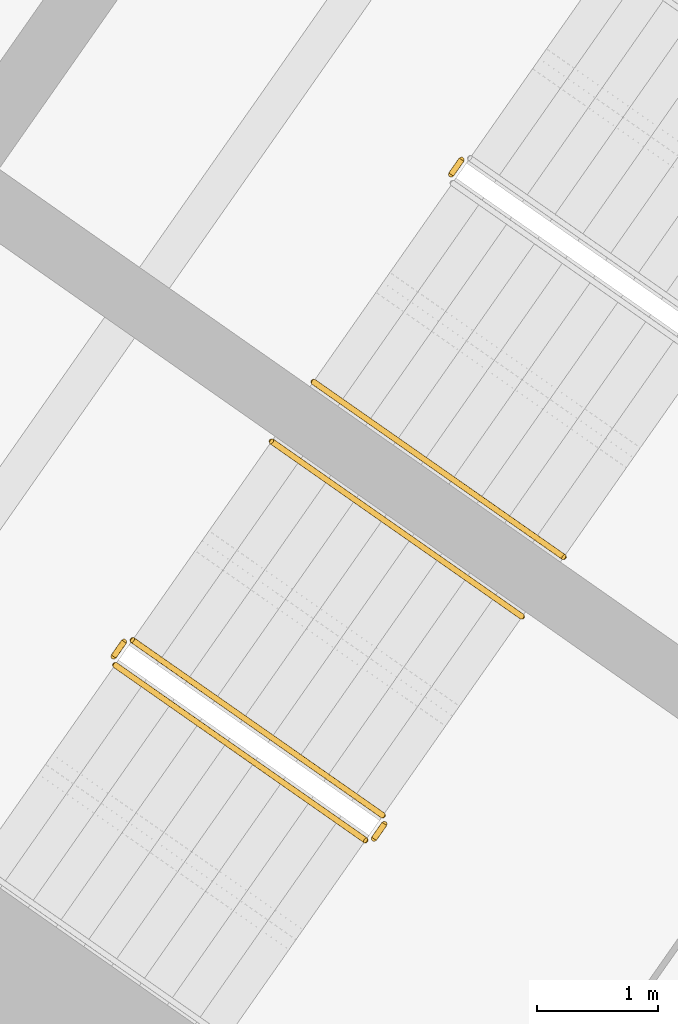
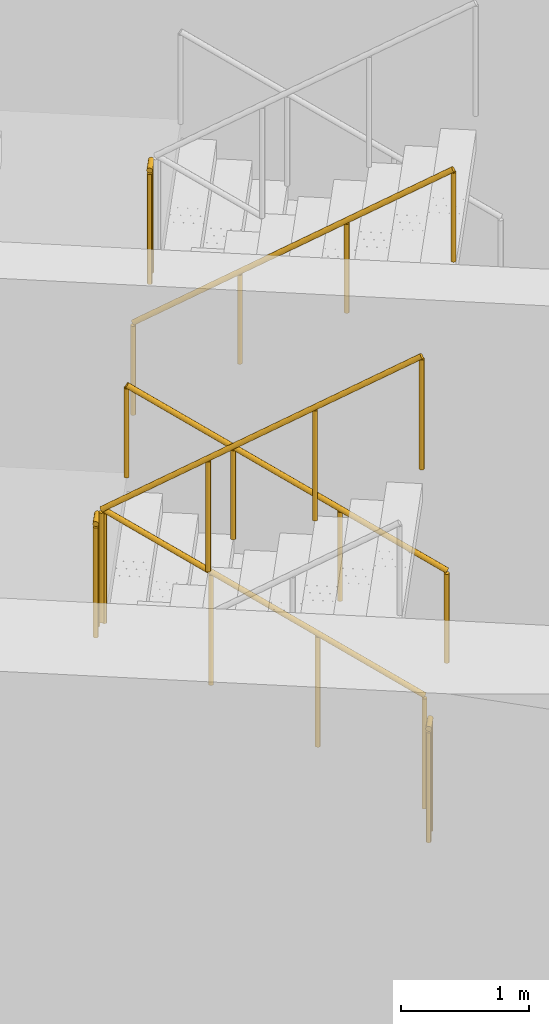
# One storey, part 21 of 23: 7 railings.
"""IFC4 building model written with IfcOpenShell, lengths in metres."""

from ifc_helpers import new_model, si_unit, direction, frame, origin, origin_2d, place, context, subcontext, project, spatial, circle, extrude, material, type_object, element, save


model = new_model("IFC4")

# Units and contexts
model_context = context("Model", 3, precision=1e-05, world=origin(), true_north=direction((0.0, 1.0)))
body_context = subcontext(model_context, "Body", "Model", "MODEL_VIEW")
ifc_project = project(units=[si_unit("LENGTHUNIT", "METRE"), si_unit("AREAUNIT", "SQUARE_METRE"), si_unit("VOLUMEUNIT", "CUBIC_METRE"), si_unit("PLANEANGLEUNIT", "RADIAN"), si_unit("MASSUNIT", "GRAM", prefix="KILO")], contexts=[model_context])

# Site, building, storey
site_placement = place(None, origin())
site = spatial("IfcSite", under=ifc_project, at=site_placement, CompositionType="ELEMENT")
building_placement = place(site_placement, origin())
building = spatial("IfcBuilding", under=site, at=building_placement, Name="Tel Ilan Convention Tower", CompositionType="ELEMENT")
storey_placement = place(building_placement, frame((0.0, 0.0, 119.300048828125)))
storey = spatial("IfcBuildingStorey", under=building, at=storey_placement, Name="L26", CompositionType="ELEMENT", Elevation=119.300048828125)

# Railings
ifc_material_1 = material(Name="Stainless Steel Grade 316", Category="steel")
railing_type_1 = type_object("IfcRailingType", Name="Stainless Steel Stair Guard 1100 mm", PredefinedType="GUARDRAIL", material=ifc_material_1)
railing_1_placement = place(storey_placement, frame((21.544921875, -6.41845703125, 1.800048828125)))
element("IfcRailing", 1, at=railing_1_placement, inside=storey, type_object=railing_type_1, Name="L26 S3 stair guard 2", PredefinedType="GUARDRAIL", context=body_context, shape_type="SweptSolid", body=[
    extrude(circle(Radius=0.02392578125, at=origin_2d()), frame((0.0, 0.0, 1.076171875), z_axis=(-0.573353020881, -0.819308436089, 0.0), x_axis=(0.819308436089, -0.573353020881, 0.0)), (0.0, 0.0, 1.0), 0.14990234375),
    extrude(circle(Radius=0.02099609375, at=origin_2d()), origin(), (0.0, 0.0, 1.0), 1.052001953125),
    extrude(circle(Radius=0.02099609375, at=origin_2d()), frame((-0.0859375, -0.122802734375, 0.0)), (0.0, 0.0, 1.0), 1.052001953125),
])
railing_2_placement = place(storey_placement, frame((20.89697265625, -11.824462890625, 0.179931640625)))
element("IfcRailing", 2, at=railing_2_placement, inside=storey, type_object=railing_type_1, Name="L26 S4 stair guard 1", PredefinedType="GUARDRAIL", context=body_context, shape_type="SweptSolid", body=[
    extrude(circle(Radius=0.02392578125, at=origin_2d()), frame((0.0, 0.0, 1.076171875), z_axis=(-0.689013013563, 0.482512838948, 0.540779462804), x_axis=(-0.573624882958, -0.819118119475, 0.0)), (0.0, 0.0, 1.0), 2.995849609375),
    extrude(circle(Radius=0.02099609375, at=origin_2d()), origin(), (0.0, 0.0, 1.0), 1.052001953125),
    extrude(circle(Radius=0.02099609375, at=origin_2d()), frame((-0.68798828125, 0.48193359375, 0.5400390625)), (0.0, 0.0, 1.0), 1.052001953125),
    extrude(circle(Radius=0.02099609375, at=origin_2d()), frame((-1.376220703125, 0.963623046875, 1.080078125)), (0.0, 0.0, 1.0), 1.052001953125),
    extrude(circle(Radius=0.02099609375, at=origin_2d()), frame((-2.064208984375, 1.445556640625, 1.6201171875)), (0.0, 0.0, 1.0), 1.052001953125),
])
railing_3_placement = place(storey_placement, frame((18.762939453125, -10.391357421875, 1.800048828125)))
element("IfcRailing", 3, at=railing_3_placement, inside=storey, type_object=railing_type_1, Name="L26 S4 stair guard 2", PredefinedType="GUARDRAIL", context=body_context, shape_type="SweptSolid", body=[
    extrude(circle(Radius=0.02392578125, at=origin_2d()), frame((0.0, 0.0, 1.076171875), z_axis=(-0.573353020881, -0.819308436089, 0.0), x_axis=(0.819308436089, -0.573353020881, 0.0)), (0.0, 0.0, 1.0), 0.14990234375),
    extrude(circle(Radius=0.02099609375, at=origin_2d()), origin(), (0.0, 0.0, 1.0), 1.052001953125),
    extrude(circle(Radius=0.02099609375, at=origin_2d()), frame((-0.0859375, -0.122802734375, 0.0)), (0.0, 0.0, 1.0), 1.052001953125),
])
railing_4_placement = place(storey_placement, frame((18.689208984375, -10.583740234375, 1.97998046875)))
element("IfcRailing", 4, at=railing_4_placement, inside=storey, type_object=railing_type_1, Name="L26 S4 stair guard 3", PredefinedType="GUARDRAIL", context=body_context, shape_type="SweptSolid", body=[
    extrude(circle(Radius=0.02392578125, at=origin_2d()), frame((0.0, 0.0, 1.076171875), z_axis=(0.689086176785, -0.482507007183, 0.540691436018), x_axis=(0.573579365141, 0.81914999352, 0.0)), (0.0, 0.0, 1.0), 2.995849609375),
    extrude(circle(Radius=0.02099609375, at=origin_2d()), origin(), (0.0, 0.0, 1.0), 1.052001953125),
    extrude(circle(Radius=0.02099609375, at=origin_2d()), frame((0.688232421875, -0.48193359375, 0.5400390625)), (0.0, 0.0, 1.0), 1.052001953125),
    extrude(circle(Radius=0.02099609375, at=origin_2d()), frame((1.376220703125, -0.963623046875, 1.079833984375)), (0.0, 0.0, 1.0), 1.052001953125),
    extrude(circle(Radius=0.02099609375, at=origin_2d()), frame((2.064453125, -1.445556640625, 1.619873046875)), (0.0, 0.0, 1.0), 1.052001953125),
])
railing_5_placement = place(storey_placement, frame((20.9091796875, -11.89404296875, 0.0)))
element("IfcRailing", 5, at=railing_5_placement, inside=storey, type_object=railing_type_1, Name="L26 S4 stair guard 4", PredefinedType="GUARDRAIL", context=body_context, shape_type="SweptSolid", body=[
    extrude(circle(Radius=0.02392578125, at=origin_2d()), frame((0.0, 0.0, 1.076171875), z_axis=(-0.573353020881, -0.819308436089, 0.0), x_axis=(0.819308436089, -0.573353020881, 0.0)), (0.0, 0.0, 1.0), 0.14990234375),
    extrude(circle(Radius=0.02099609375, at=origin_2d()), origin(), (0.0, 0.0, 1.0), 1.052001953125),
    extrude(circle(Radius=0.02099609375, at=origin_2d()), frame((-0.0859375, -0.122802734375, 0.0)), (0.0, 0.0, 1.0), 1.052001953125),
])
ifc_material_2 = material(Name="Stainless Steel Grade 316", Category="steel")
railing_type_2 = type_object("IfcRailingType", Name="Stainless Steel Stair Handrail 900 mm", PredefinedType="HANDRAIL", material=ifc_material_2)
railing_6_placement = place(storey_placement, frame((20.323974609375, -8.249267578125, 1.97998046875)))
element("IfcRailing", 6, at=railing_6_placement, inside=storey, type_object=railing_type_2, Name="L26 S3 stair handrail 2", PredefinedType="HANDRAIL", context=body_context, shape_type="SweptSolid", body=[
    extrude(circle(Radius=0.02392578125, at=origin_2d()), frame((0.0, 0.0, 0.8759765625), z_axis=(0.68907047291, -0.482471578903, 0.540743061828), x_axis=(0.573559875649, 0.819163639968, 0.0)), (0.0, 0.0, 1.0), 2.99560546875),
    extrude(circle(Radius=0.02099609375, at=origin_2d()), origin(), (0.0, 0.0, 1.0), 0.851806640625),
    extrude(circle(Radius=0.02099609375, at=origin_2d()), frame((0.68798828125, -0.481689453125, 0.5400390625)), (0.0, 0.0, 1.0), 0.851806640625),
    extrude(circle(Radius=0.02099609375, at=origin_2d()), frame((1.376220703125, -0.963623046875, 1.079833984375)), (0.0, 0.0, 1.0), 0.851806640625),
    extrude(circle(Radius=0.02099609375, at=origin_2d()), frame((2.064208984375, -1.4453125, 1.619873046875)), (0.0, 0.0, 1.0), 0.851806640625),
])
railing_7_placement = place(storey_placement, frame((22.044189453125, -10.18603515625, 0.179931640625)))
element("IfcRailing", 7, at=railing_7_placement, inside=storey, type_object=railing_type_2, Name="L26 S4 stair handrail 1", PredefinedType="HANDRAIL", context=body_context, shape_type="SweptSolid", body=[
    extrude(circle(Radius=0.02392578125, at=origin_2d()), frame((0.0, 0.0, 0.8759765625), z_axis=(-0.689082904933, 0.482423225781, 0.540770359169), x_axis=(-0.573514357932, -0.81919550856, 0.0)), (0.0, 0.0, 1.0), 2.995849609375),
    extrude(circle(Radius=0.02099609375, at=origin_2d()), origin(), (0.0, 0.0, 1.0), 0.851806640625),
    extrude(circle(Radius=0.02099609375, at=origin_2d()), frame((-0.688232421875, 0.481689453125, 0.5400390625)), (0.0, 0.0, 1.0), 0.851806640625),
    extrude(circle(Radius=0.02099609375, at=origin_2d()), frame((-1.376220703125, 0.963623046875, 1.080078125)), (0.0, 0.0, 1.0), 0.851806640625),
    extrude(circle(Radius=0.02099609375, at=origin_2d()), frame((-2.064453125, 1.4453125, 1.6201171875)), (0.0, 0.0, 1.0), 0.851806640625),
])

save(model, "model.ifc")
